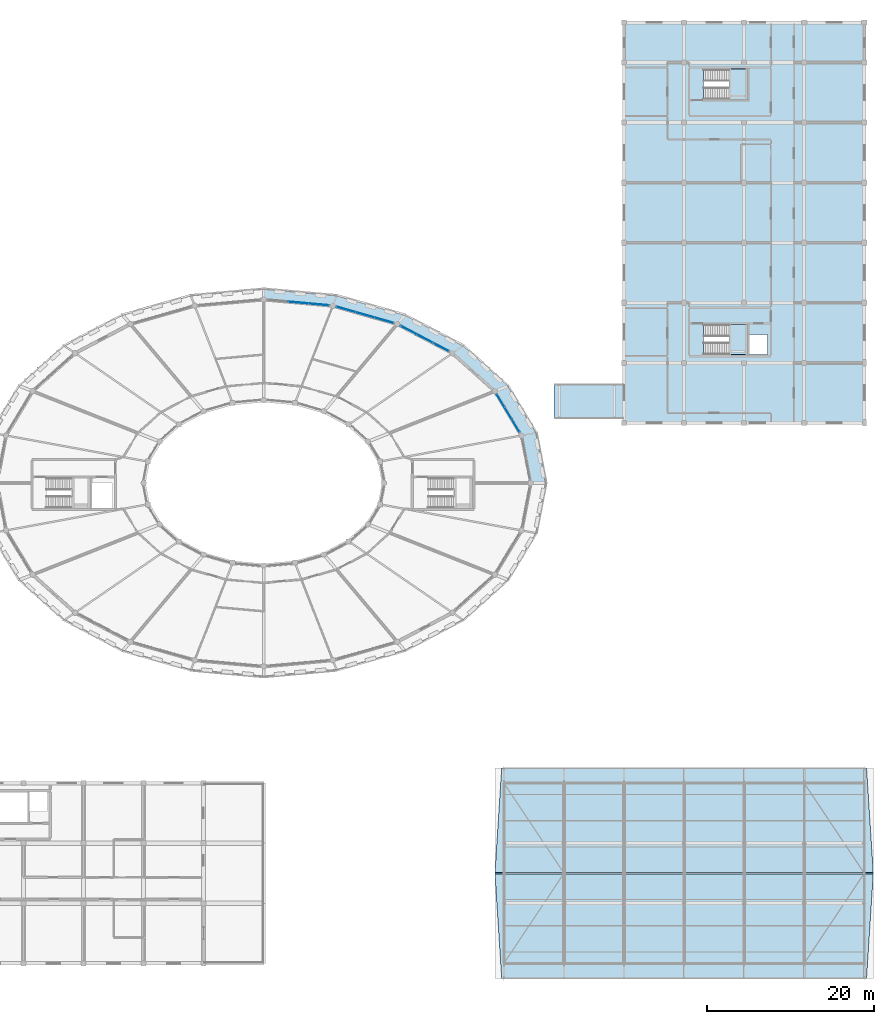
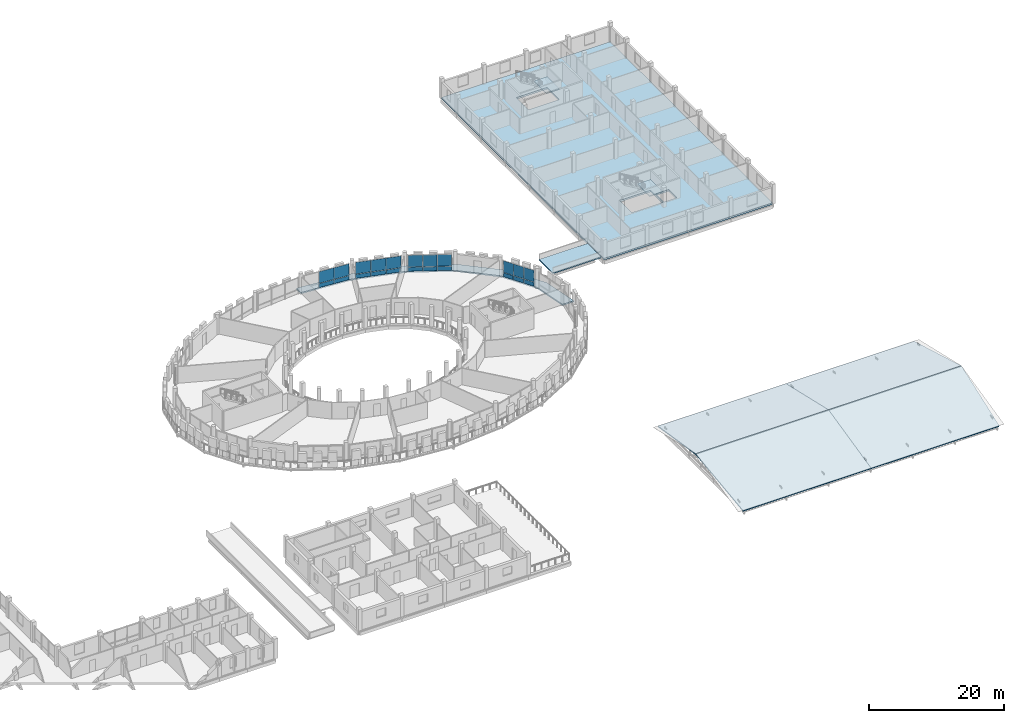
# One storey, part 67 of 93: 22 plates, 9 slabs, 6 elements without a shape of their own.
"""IFC4 building model written with IfcOpenShell, lengths in metres."""

from ifc_helpers import new_model, si_unit, direction, frame, origin, origin_2d, place, context, subcontext, project, spatial, polyline, rectangle, outline, extrude, material, layer, layer_set, type_object, element, aggregate, save


model = new_model("IFC4")

# Units and contexts
model_context = context("Model", 3, precision=1e-05, world=origin(), true_north=direction((0.0, 1.0)))
body_context = subcontext(model_context, "Body", "Model", "MODEL_VIEW")
ifc_project = project(units=[si_unit("LENGTHUNIT", "METRE"), si_unit("AREAUNIT", "SQUARE_METRE"), si_unit("VOLUMEUNIT", "CUBIC_METRE"), si_unit("PLANEANGLEUNIT", "RADIAN"), si_unit("MASSUNIT", "GRAM", prefix="KILO")], contexts=[model_context])

# Site, building, storey
site_placement = place(None, origin())
site = spatial("IfcSite", under=ifc_project, at=site_placement, CompositionType="ELEMENT")
building_placement = place(site_placement, origin())
building = spatial("IfcBuilding", under=site, at=building_placement, Name="Zornivar Specialist Clinic", CompositionType="ELEMENT")
storey_placement = place(building_placement, frame((0.0, 0.0, 8.39990234375)))
storey = spatial("IfcBuildingStorey", under=building, at=storey_placement, Name="L02", CompositionType="ELEMENT", Elevation=8.39990234375)

# Curtain wall, plates
ifc_material_1 = material(Name="Aluminium and Low-E Glass Curtain Wall", Category="aluminium")
curtain_wall_type = type_object("IfcCurtainWallType", Name="CW-DRUM-FACET", PredefinedType="NOTDEFINED", material=ifc_material_1)
curtain_wall_1_placement = place(storey_placement, origin())
curtain_wall_1 = element("IfcCurtainWall", 1, at=curtain_wall_1_placement, inside=storey, type_object=curtain_wall_type, Name="cw:V1:L02:c04", PredefinedType="NOTDEFINED")
ifc_material_2 = material(Name="Insulated Bronze Spandrel Panel")
ifc_layer_1 = layer(ifc_material_2, 0.048095703125)
ifc_layer_set_1 = layer_set([ifc_layer_1], Name="Insulated Bronze Spandrel Panel")
plate_type_1 = type_object("IfcPlateType", Name="CWP-SPN-A", PredefinedType="CURTAIN_PANEL", material=ifc_layer_set_1)
plate_1_placement = place(storey_placement, frame((108.006103515625, 77.10595703125, 0.02978515625), z_axis=(0.0, 0.0, 1.0), x_axis=(-0.961761244933, 0.273889225319, 0.0)))
plate_1 = element("IfcPlate", 2, at=plate_1_placement, type_object=plate_type_1, Name="cw:V1:L02:c04:spn:0", PredefinedType="CURTAIN_PANEL", context=body_context, shape_type="SweptSolid", body=[
    extrude(rectangle(XDim=2.284912109375, YDim=0.048095703125, at=origin_2d()), origin(), (0.0, 0.0, 1.0), 0.722900390625),
])
plate_2_placement = place(storey_placement, frame((105.740966796875, 77.7509765625, 0.02978515625), z_axis=(0.0, 0.0, 1.0), x_axis=(-0.961761244933, 0.273889225319, 0.0)))
plate_2 = element("IfcPlate", 3, at=plate_2_placement, type_object=plate_type_1, Name="cw:V1:L02:c04:spn:1", PredefinedType="CURTAIN_PANEL", context=body_context, shape_type="SweptSolid", body=[
    extrude(rectangle(XDim=2.284912109375, YDim=0.048095703125, at=origin_2d()), origin(), (0.0, 0.0, 1.0), 0.722900390625),
])
plate_3_placement = place(storey_placement, frame((103.47607421875, 78.39599609375, 0.02978515625), z_axis=(0.0, 0.0, 1.0), x_axis=(-0.961761244933, 0.273889225319, 0.0)))
plate_3 = element("IfcPlate", 4, at=plate_3_placement, type_object=plate_type_1, Name="cw:V1:L02:c04:spn:2", PredefinedType="CURTAIN_PANEL", context=body_context, shape_type="SweptSolid", body=[
    extrude(rectangle(XDim=2.284912109375, YDim=0.048095703125, at=origin_2d()), origin(), (0.0, 0.0, 1.0), 0.722900390625),
])

curtain_wall_2_placement = place(storey_placement, origin())
curtain_wall_2 = element("IfcCurtainWall", 5, at=curtain_wall_2_placement, inside=storey, type_object=curtain_wall_type, Name="cw:V1:L02:c05", PredefinedType="NOTDEFINED")
ifc_material_3 = material(Name="Insulated Bronze Spandrel Panel")
ifc_layer_2 = layer(ifc_material_3, 0.048095703125)
ifc_layer_set_2 = layer_set([ifc_layer_2], Name="Insulated Bronze Spandrel Panel")
plate_type_2 = type_object("IfcPlateType", Name="CWP-SPN-B", PredefinedType="CURTAIN_PANEL", material=ifc_layer_set_2)
plate_4_placement = place(storey_placement, frame((100.18310546875, 79.00390625, 0.02978515625), z_axis=(0.0, 0.0, 1.0), x_axis=(-0.995932792393, 0.09009923993, 0.0)))
plate_4 = element("IfcPlate", 6, at=plate_4_placement, type_object=plate_type_2, Name="cw:V1:L02:c05:spn:0", PredefinedType="CURTAIN_PANEL", context=body_context, shape_type="SweptSolid", body=[
    extrude(rectangle(XDim=2.382080078125, YDim=0.048095703125, at=origin_2d()), origin(), (0.0, 0.0, 1.0), 0.722900390625),
])
plate_5_placement = place(storey_placement, frame((97.740966796875, 79.22509765625, 0.02978515625), z_axis=(0.0, 0.0, 1.0), x_axis=(-0.995932792393, 0.09009923993, 0.0)))
plate_5 = element("IfcPlate", 7, at=plate_5_placement, type_object=plate_type_2, Name="cw:V1:L02:c05:spn:1", PredefinedType="CURTAIN_PANEL", context=body_context, shape_type="SweptSolid", body=[
    extrude(rectangle(XDim=2.382080078125, YDim=0.048095703125, at=origin_2d()), origin(), (0.0, 0.0, 1.0), 0.722900390625),
])

curtain_wall_3_placement = place(storey_placement, origin())
curtain_wall_3 = element("IfcCurtainWall", 8, at=curtain_wall_3_placement, inside=storey, type_object=curtain_wall_type, Name="cw:V1:L02:c01", PredefinedType="NOTDEFINED")
ifc_material_4 = material(Name="Insulated Limestone-Faced Spandrel Panel", Category="masonry")
ifc_layer_3 = layer(ifc_material_4, 0.05810546875)
ifc_layer_set_3 = layer_set([ifc_layer_3], Name="Insulated Limestone-Faced Spandrel Panel")
plate_type_3 = type_object("IfcPlateType", Name="CWP-SPN-D", PredefinedType="CURTAIN_PANEL", material=ifc_layer_set_3)
plate_6_placement = place(storey_placement, frame((123.81201171875, 64.452880859375, 0.02978515625), z_axis=(0.0, 0.0, 1.0), x_axis=(-0.516127401954, 0.856511824175, 0.0)))
plate_6 = element("IfcPlate", 9, at=plate_6_placement, type_object=plate_type_3, Name="cw:V1:L02:c01:spn:0", PredefinedType="CURTAIN_PANEL", context=body_context, shape_type="SweptSolid", body=[
    extrude(rectangle(XDim=1.675048828125, YDim=0.05810546875, at=origin_2d()), origin(), (0.0, 0.0, 1.0), 0.722900390625),
])
plate_7_placement = place(storey_placement, frame((122.912109375, 65.947021484375, 0.02978515625), z_axis=(0.0, 0.0, 1.0), x_axis=(-0.516127401954, 0.856511824175, 0.0)))
plate_7 = element("IfcPlate", 10, at=plate_7_placement, type_object=plate_type_3, Name="cw:V1:L02:c01:spn:1", PredefinedType="CURTAIN_PANEL", context=body_context, shape_type="SweptSolid", body=[
    extrude(rectangle(XDim=1.675048828125, YDim=0.05810546875, at=origin_2d()), origin(), (0.0, 0.0, 1.0), 0.722900390625),
])
plate_8_placement = place(storey_placement, frame((122.010986328125, 67.44189453125, 0.02978515625), z_axis=(0.0, 0.0, 1.0), x_axis=(-0.516127401954, 0.856511824175, 0.0)))
plate_8 = element("IfcPlate", 11, at=plate_8_placement, type_object=plate_type_3, Name="cw:V1:L02:c01:spn:2", PredefinedType="CURTAIN_PANEL", context=body_context, shape_type="SweptSolid", body=[
    extrude(rectangle(XDim=1.675048828125, YDim=0.05810546875, at=origin_2d()), origin(), (0.0, 0.0, 1.0), 0.722900390625),
])

curtain_wall_4_placement = place(storey_placement, origin())
curtain_wall_4 = element("IfcCurtainWall", 12, at=curtain_wall_4_placement, inside=storey, type_object=curtain_wall_type, Name="cw:V1:L02:c03", PredefinedType="NOTDEFINED")
ifc_material_5 = material(Name="Insulated Terracotta Spandrel Panel", Category="masonry")
ifc_layer_4 = layer(ifc_material_5, 0.05810546875)
ifc_layer_set_4 = layer_set([ifc_layer_4], Name="Insulated Terracotta Spandrel Panel")
plate_type_4 = type_object("IfcPlateType", Name="CWP-SPN-F", PredefinedType="CURTAIN_PANEL", material=ifc_layer_set_4)
plate_9_placement = place(storey_placement, frame((114.839111328125, 73.887939453125, 0.02978515625), z_axis=(0.0, 0.0, 1.0), x_axis=(-0.884383019078, 0.46676190458, 0.0)))
plate_9 = element("IfcPlate", 13, at=plate_9_placement, type_object=plate_type_4, Name="cw:V1:L02:c03:spn:0", PredefinedType="CURTAIN_PANEL", context=body_context, shape_type="SweptSolid", body=[
    extrude(rectangle(XDim=2.10791015625, YDim=0.05810546875, at=origin_2d()), origin(), (0.0, 0.0, 1.0), 0.722900390625),
])
plate_10_placement = place(storey_placement, frame((112.9130859375, 74.904052734375, 0.02978515625), z_axis=(0.0, 0.0, 1.0), x_axis=(-0.884383019078, 0.46676190458, 0.0)))
plate_10 = element("IfcPlate", 14, at=plate_10_placement, type_object=plate_type_4, Name="cw:V1:L02:c03:spn:1", PredefinedType="CURTAIN_PANEL", context=body_context, shape_type="SweptSolid", body=[
    extrude(rectangle(XDim=2.10791015625, YDim=0.05810546875, at=origin_2d()), origin(), (0.0, 0.0, 1.0), 0.722900390625),
])
plate_11_placement = place(storey_placement, frame((110.987060546875, 75.9208984375, 0.02978515625), z_axis=(0.0, 0.0, 1.0), x_axis=(-0.884383019078, 0.46676190458, 0.0)))
plate_11 = element("IfcPlate", 15, at=plate_11_placement, type_object=plate_type_4, Name="cw:V1:L02:c03:spn:2", PredefinedType="CURTAIN_PANEL", context=body_context, shape_type="SweptSolid", body=[
    extrude(rectangle(XDim=2.10791015625, YDim=0.05810546875, at=origin_2d()), origin(), (0.0, 0.0, 1.0), 0.722900390625),
])

# Plate
ifc_material_6 = material(Name="Triple Low-E Vision Glass", Category="glass")
ifc_layer_5 = layer(ifc_material_6, 0.0380859375)
ifc_layer_set_5 = layer_set([ifc_layer_5], Name="Triple Low-E Vision Glass")
plate_type_5 = type_object("IfcPlateType", Name="CWP-VIS-D", PredefinedType="CURTAIN_PANEL", material=ifc_layer_set_5)
plate_12_placement = place(storey_placement, frame((123.81201171875, 64.452880859375, 0.81787109375), z_axis=(0.0, 0.0, 1.0), x_axis=(-0.516127401954, 0.856511824175, 0.0)))
plate_12 = element("IfcPlate", 16, at=plate_12_placement, type_object=plate_type_5, Name="cw:V1:L02:c01:vis:0", PredefinedType="CURTAIN_PANEL", context=body_context, shape_type="SweptSolid", body=[
    extrude(rectangle(XDim=1.675048828125, YDim=0.0380859375, at=origin_2d()), origin(), (0.0, 0.0, 1.0), 2.092041015625),
])

plate_13_placement = place(storey_placement, frame((122.912109375, 65.947021484375, 0.81787109375), z_axis=(0.0, 0.0, 1.0), x_axis=(-0.516127401954, 0.856511824175, 0.0)))
plate_13 = element("IfcPlate", 17, at=plate_13_placement, type_object=plate_type_5, Name="cw:V1:L02:c01:vis:1", PredefinedType="CURTAIN_PANEL", context=body_context, shape_type="SweptSolid", body=[
    extrude(rectangle(XDim=1.675048828125, YDim=0.0380859375, at=origin_2d()), origin(), (0.0, 0.0, 1.0), 2.092041015625),
])

plate_14_placement = place(storey_placement, frame((122.010986328125, 67.44189453125, 0.81787109375), z_axis=(0.0, 0.0, 1.0), x_axis=(-0.516127401954, 0.856511824175, 0.0)))
plate_14 = element("IfcPlate", 18, at=plate_14_placement, type_object=plate_type_5, Name="cw:V1:L02:c01:vis:2", PredefinedType="CURTAIN_PANEL", context=body_context, shape_type="SweptSolid", body=[
    extrude(rectangle(XDim=1.675048828125, YDim=0.0380859375, at=origin_2d()), origin(), (0.0, 0.0, 1.0), 2.092041015625),
])

aggregate(curtain_wall_3, [plate_6, plate_12, plate_7, plate_13, plate_8, plate_14])

ifc_material_7 = material(Name="Triple Low-E Vision Glass", Category="glass")
ifc_layer_6 = layer(ifc_material_7, 0.035888671875)
ifc_layer_set_6 = layer_set([ifc_layer_6], Name="Triple Low-E Vision Glass")
plate_type_6 = type_object("IfcPlateType", Name="CWP-VIS-F", PredefinedType="CURTAIN_PANEL", material=ifc_layer_set_6)
plate_15_placement = place(storey_placement, frame((114.839111328125, 73.887939453125, 0.81787109375), z_axis=(0.0, 0.0, 1.0), x_axis=(-0.884383019078, 0.46676190458, 0.0)))
plate_15 = element("IfcPlate", 19, at=plate_15_placement, type_object=plate_type_6, Name="cw:V1:L02:c03:vis:0", PredefinedType="CURTAIN_PANEL", context=body_context, shape_type="SweptSolid", body=[
    extrude(rectangle(XDim=2.10791015625, YDim=0.035888671875, at=origin_2d()), origin(), (0.0, 0.0, 1.0), 2.092041015625),
])

plate_16_placement = place(storey_placement, frame((112.9130859375, 74.904052734375, 0.81787109375), z_axis=(0.0, 0.0, 1.0), x_axis=(-0.884383019078, 0.46676190458, 0.0)))
plate_16 = element("IfcPlate", 20, at=plate_16_placement, type_object=plate_type_6, Name="cw:V1:L02:c03:vis:1", PredefinedType="CURTAIN_PANEL", context=body_context, shape_type="SweptSolid", body=[
    extrude(rectangle(XDim=2.10791015625, YDim=0.035888671875, at=origin_2d()), origin(), (0.0, 0.0, 1.0), 2.092041015625),
])

plate_17_placement = place(storey_placement, frame((110.987060546875, 75.9208984375, 0.81787109375), z_axis=(0.0, 0.0, 1.0), x_axis=(-0.884383019078, 0.46676190458, 0.0)))
plate_17 = element("IfcPlate", 21, at=plate_17_placement, type_object=plate_type_6, Name="cw:V1:L02:c03:vis:2", PredefinedType="CURTAIN_PANEL", context=body_context, shape_type="SweptSolid", body=[
    extrude(rectangle(XDim=2.10791015625, YDim=0.035888671875, at=origin_2d()), origin(), (0.0, 0.0, 1.0), 2.092041015625),
])

aggregate(curtain_wall_4, [plate_9, plate_15, plate_10, plate_16, plate_11, plate_17])

ifc_material_8 = material(Name="Triple Low-E Vision Glass", Category="glass")
ifc_layer_7 = layer(ifc_material_8, 0.035888671875)
ifc_layer_set_7 = layer_set([ifc_layer_7], Name="Triple Low-E Vision Glass")
plate_type_7 = type_object("IfcPlateType", Name="CWP-VIS-G", PredefinedType="CURTAIN_PANEL", material=ifc_layer_set_7)
plate_18_placement = place(storey_placement, frame((108.006103515625, 77.10595703125, 0.81787109375), z_axis=(0.0, 0.0, 1.0), x_axis=(-0.961761244933, 0.273889225319, 0.0)))
plate_18 = element("IfcPlate", 22, at=plate_18_placement, type_object=plate_type_7, Name="cw:V1:L02:c04:vis:0", PredefinedType="CURTAIN_PANEL", context=body_context, shape_type="SweptSolid", body=[
    extrude(rectangle(XDim=2.284912109375, YDim=0.035888671875, at=origin_2d()), origin(), (0.0, 0.0, 1.0), 2.092041015625),
])

plate_19_placement = place(storey_placement, frame((105.740966796875, 77.7509765625, 0.81787109375), z_axis=(0.0, 0.0, 1.0), x_axis=(-0.961761244933, 0.273889225319, 0.0)))
plate_19 = element("IfcPlate", 23, at=plate_19_placement, type_object=plate_type_7, Name="cw:V1:L02:c04:vis:1", PredefinedType="CURTAIN_PANEL", context=body_context, shape_type="SweptSolid", body=[
    extrude(rectangle(XDim=2.284912109375, YDim=0.035888671875, at=origin_2d()), origin(), (0.0, 0.0, 1.0), 2.092041015625),
])

plate_20_placement = place(storey_placement, frame((103.47607421875, 78.39599609375, 0.81787109375), z_axis=(0.0, 0.0, 1.0), x_axis=(-0.961761244933, 0.273889225319, 0.0)))
plate_20 = element("IfcPlate", 24, at=plate_20_placement, type_object=plate_type_7, Name="cw:V1:L02:c04:vis:2", PredefinedType="CURTAIN_PANEL", context=body_context, shape_type="SweptSolid", body=[
    extrude(rectangle(XDim=2.284912109375, YDim=0.035888671875, at=origin_2d()), origin(), (0.0, 0.0, 1.0), 2.092041015625),
])

aggregate(curtain_wall_1, [plate_1, plate_18, plate_2, plate_19, plate_3, plate_20])

ifc_material_9 = material(Name="Triple Low-E Vision Glass", Category="glass")
ifc_layer_8 = layer(ifc_material_9, 0.033935546875)
ifc_layer_set_8 = layer_set([ifc_layer_8], Name="Triple Low-E Vision Glass")
plate_type_8 = type_object("IfcPlateType", Name="CWP-VIS-H", PredefinedType="CURTAIN_PANEL", material=ifc_layer_set_8)
plate_21_placement = place(storey_placement, frame((100.18310546875, 79.00390625, 0.81787109375), z_axis=(0.0, 0.0, 1.0), x_axis=(-0.995932792393, 0.09009923993, 0.0)))
plate_21 = element("IfcPlate", 25, at=plate_21_placement, type_object=plate_type_8, Name="cw:V1:L02:c05:vis:0", PredefinedType="CURTAIN_PANEL", context=body_context, shape_type="SweptSolid", body=[
    extrude(rectangle(XDim=2.382080078125, YDim=0.033935546875, at=origin_2d()), origin(), (0.0, 0.0, 1.0), 2.092041015625),
])

plate_22_placement = place(storey_placement, frame((97.740966796875, 79.22509765625, 0.81787109375), z_axis=(0.0, 0.0, 1.0), x_axis=(-0.995932792393, 0.09009923993, 0.0)))
plate_22 = element("IfcPlate", 26, at=plate_22_placement, type_object=plate_type_8, Name="cw:V1:L02:c05:vis:1", PredefinedType="CURTAIN_PANEL", context=body_context, shape_type="SweptSolid", body=[
    extrude(rectangle(XDim=2.382080078125, YDim=0.033935546875, at=origin_2d()), origin(), (0.0, 0.0, 1.0), 2.092041015625),
])

aggregate(curtain_wall_2, [plate_4, plate_21, plate_5, plate_22])

# Slabs
ifc_material_10 = material(Name="Concrete C30/37", Category="concrete")
ifc_layer_9 = layer(ifc_material_10, 0.239990234375)
ifc_layer_set_9 = layer_set([ifc_layer_9], Name="Concrete C30/37")
slab_type_1 = type_object("IfcSlabType", Name="SLB-EXT-BALC-240", PredefinedType="FLOOR", material=ifc_layer_set_9)
slab_1_placement = place(storey_placement, frame((0.0, 0.0, -0.239990234375)))
element("IfcSlab", 27, at=slab_1_placement, inside=storey, type_object=slab_type_1, Name="slab:V1:L02:balc:q0", PredefinedType="FLOOR", context=body_context, shape_type="SweptSolid", body=[
    extrude(outline(polyline([(125.60009765625, 57.60009765625), (124.510009765625, 63.2939453125), (121.31298828125, 68.60009765625), (116.22705078125, 73.156005859375), (109.60009765625, 76.653076171875), (101.882080078125, 78.85009765625), (93.60009765625, 79.60009765625), (93.60009765625, 80.919921875), (102.37890625, 80.125), (110.56005859375, 77.7958984375), (117.5849609375, 74.090087890625), (122.97607421875, 69.260009765625), (126.364013671875, 63.635986328125), (127.52001953125, 57.60009765625), (125.60009765625, 57.60009765625)])), origin(), (0.0, 0.0, 1.0), 0.239990234375),
])
ifc_material_11 = material(Name="Concrete C30/37", Category="concrete")
ifc_layer_10 = layer(ifc_material_11, 0.320068359375)
ifc_layer_set_10 = layer_set([ifc_layer_10], Name="Concrete C30/37")
slab_type_2 = type_object("IfcSlabType", Name="SLB-FLR-LAB-320", PredefinedType="FLOOR", material=ifc_layer_set_10)
slab_2_placement = place(storey_placement, frame((0.0, 0.0, -0.31982421875)))
element("IfcSlab", 28, at=slab_2_placement, inside=storey, type_object=slab_type_2, Name="slab:V6:L02:main", PredefinedType="FLOOR", context=body_context, shape_type="SweptSolid", body=[
    extrude(outline(polyline([(136.800048828125, 64.800048828125), (165.60009765625, 64.800048828125), (165.60009765625, 112.800048828125), (136.800048828125, 112.800048828125), (136.800048828125, 64.800048828125)]), holes=[polyline([(146.320068359375, 73.0), (151.60009765625, 73.0), (151.60009765625, 76.60009765625), (146.320068359375, 76.60009765625), (146.320068359375, 73.0)]), polyline([(151.800048828125, 73.0), (154.0, 73.0), (154.0, 75.39990234375), (151.800048828125, 75.39990234375), (151.800048828125, 73.0)]), polyline([(146.320068359375, 103.60009765625), (151.60009765625, 103.60009765625), (151.60009765625, 107.199951171875), (146.320068359375, 107.199951171875), (146.320068359375, 103.60009765625)])]), origin(), (0.0, 0.0, 1.0), 0.31982421875),
])

# Stair, slab
ifc_material_12 = material(Name="Concrete C30/37", Category="concrete")
stair_type = type_object("IfcStairType", Name="STR-CORE-TYP-3900", PredefinedType="HALF_TURN_STAIR", material=ifc_material_12)
stair_1_placement = place(storey_placement, origin())
stair_1 = element("IfcStair", 29, at=stair_1_placement, inside=storey, type_object=stair_type, Name="stair:C9:L02", PredefinedType="HALF_TURN_STAIR")
ifc_material_13 = material(Name="Concrete C30/37", Category="concrete")
ifc_layer_11 = layer(ifc_material_13, 0.179931640625)
ifc_layer_set_11 = layer_set([ifc_layer_11], Name="Concrete C30/37")
slab_type_3 = type_object("IfcSlabType", Name="SLB-LANDING-180", PredefinedType="LANDING", material=ifc_layer_set_11)
slab_3_placement = place(storey_placement, frame((0.0, 0.0, 1.77001953125)))
slab_3 = element("IfcSlab", 30, at=slab_3_placement, type_object=slab_type_3, Name="stair:C9:L02:land", PredefinedType="LANDING", context=body_context, shape_type="SweptSolid", body=[
    extrude(outline(polyline([(149.360107421875, 72.97998046875), (151.6201171875, 72.97998046875), (151.6201171875, 76.6201171875), (149.360107421875, 76.6201171875), (149.360107421875, 72.97998046875)])), origin(), (0.0, 0.0, 1.0), 0.18017578125),
])
aggregate(stair_1, [slab_3])

stair_2_placement = place(storey_placement, origin())
stair_2 = element("IfcStair", 31, at=stair_2_placement, inside=storey, type_object=stair_type, Name="stair:C10:L02", PredefinedType="HALF_TURN_STAIR")
slab_4_placement = place(storey_placement, frame((0.0, 0.0, 1.77001953125)))
slab_4 = element("IfcSlab", 32, at=slab_4_placement, type_object=slab_type_3, Name="stair:C10:L02:land", PredefinedType="LANDING", context=body_context, shape_type="SweptSolid", body=[
    extrude(outline(polyline([(149.360107421875, 103.580078125), (151.6201171875, 103.580078125), (151.6201171875, 107.219970703125), (149.360107421875, 107.219970703125), (149.360107421875, 103.580078125)])), origin(), (0.0, 0.0, 1.0), 0.18017578125),
])
aggregate(stair_2, [slab_4])

# Slabs
ifc_material_14 = material(Name="Concrete C30/37", Category="concrete")
ifc_layer_12 = layer(ifc_material_14, 0.219970703125)
ifc_layer_set_12 = layer_set([ifc_layer_12], Name="Concrete C30/37")
slab_type_4 = type_object("IfcSlabType", Name="SLB-ROOF-FLAT-220", PredefinedType="ROOF", material=ifc_layer_set_12)
slab_5_placement = place(storey_placement, frame((0.0, 0.0, -0.219970703125)))
element("IfcSlab", 33, at=slab_5_placement, inside=storey, type_object=slab_type_4, Name="slab:BR3:L02:roof", PredefinedType="ROOF", context=body_context, shape_type="SweptSolid", body=[
    extrude(outline(polyline([(128.39990234375, 65.39990234375), (136.679931640625, 65.39990234375), (136.679931640625, 69.39990234375), (128.39990234375, 69.39990234375), (128.39990234375, 65.39990234375)])), origin(), (0.0, 0.0, 1.0), 0.219970703125),
])
ifc_material_15 = material(Name="Concrete C30/37", Category="concrete")
ifc_layer_13 = layer(ifc_material_15, 0.18994140625)
ifc_layer_set_13 = layer_set([ifc_layer_13], Name="Concrete C30/37")
slab_type_5 = type_object("IfcSlabType", Name="SLB-ROOF-PITCH-190", PredefinedType="ROOF", material=ifc_layer_set_13)
slab_6_placement = place(storey_placement, frame((122.1201171875, -1.800048828125, 0.0), z_axis=(0.0, -0.224294604549, 0.974521385281), x_axis=(1.0, 0.0, 0.0)))
element("IfcSlab", 34, at=slab_6_placement, inside=storey, type_object=slab_type_5, Name="slab:V4:L02:pitch:S:0", PredefinedType="ROOF", context=body_context, shape_type="SweptSolid", body=[
    extrude(outline(polyline([(0.0, 0.0), (21.8798828125, 0.0), (21.8798828125, 12.847352269891987), (-0.800048828125, 12.847352269891987), (0.0, 0.0)])), origin(), (0.0, 0.0, -1.0), 0.18994140625),
])
slab_7_placement = place(storey_placement, frame((121.320068359375, 10.8798828125, 2.881591796875), z_axis=(0.0, 0.224294604549, 0.974521385281), x_axis=(1.0, 0.0, 0.0)))
element("IfcSlab", 35, at=slab_7_placement, inside=storey, type_object=slab_type_5, Name="slab:V4:L02:pitch:N:0", PredefinedType="ROOF", context=body_context, shape_type="SweptSolid", body=[
    extrude(outline(polyline([(0.0, 0.0), (22.679931640625, 0.0), (22.679931640625, 12.847352269891987), (0.800048828125, 12.847352269891987), (0.0, 0.0)])), origin(), (0.0, 0.0, -1.0), 0.18994140625),
])
slab_8_placement = place(storey_placement, frame((144.0, -1.800048828125, 0.0), z_axis=(0.0, -0.224294604549, 0.974521385281), x_axis=(1.0, 0.0, 0.0)))
element("IfcSlab", 36, at=slab_8_placement, inside=storey, type_object=slab_type_5, Name="slab:V4:L02:pitch:S:1", PredefinedType="ROOF", context=body_context, shape_type="SweptSolid", body=[
    extrude(outline(polyline([(0.0, 0.0), (21.8798828125, 0.0), (22.679931640625, 12.847352269891987), (0.0, 12.847352269891987), (0.0, 0.0)])), origin(), (0.0, 0.0, -1.0), 0.18994140625),
])
slab_9_placement = place(storey_placement, frame((144.0, 10.8798828125, 2.881591796875), z_axis=(0.0, 0.224294604549, 0.974521385281), x_axis=(1.0, 0.0, 0.0)))
element("IfcSlab", 37, at=slab_9_placement, inside=storey, type_object=slab_type_5, Name="slab:V4:L02:pitch:N:1", PredefinedType="ROOF", context=body_context, shape_type="SweptSolid", body=[
    extrude(outline(polyline([(0.0, 0.0), (22.679931640625, 0.0), (21.8798828125, 12.847352269891987), (0.0, 12.847352269891987), (0.0, 0.0)])), origin(), (0.0, 0.0, -1.0), 0.18994140625),
])

save(model, "model.ifc")
